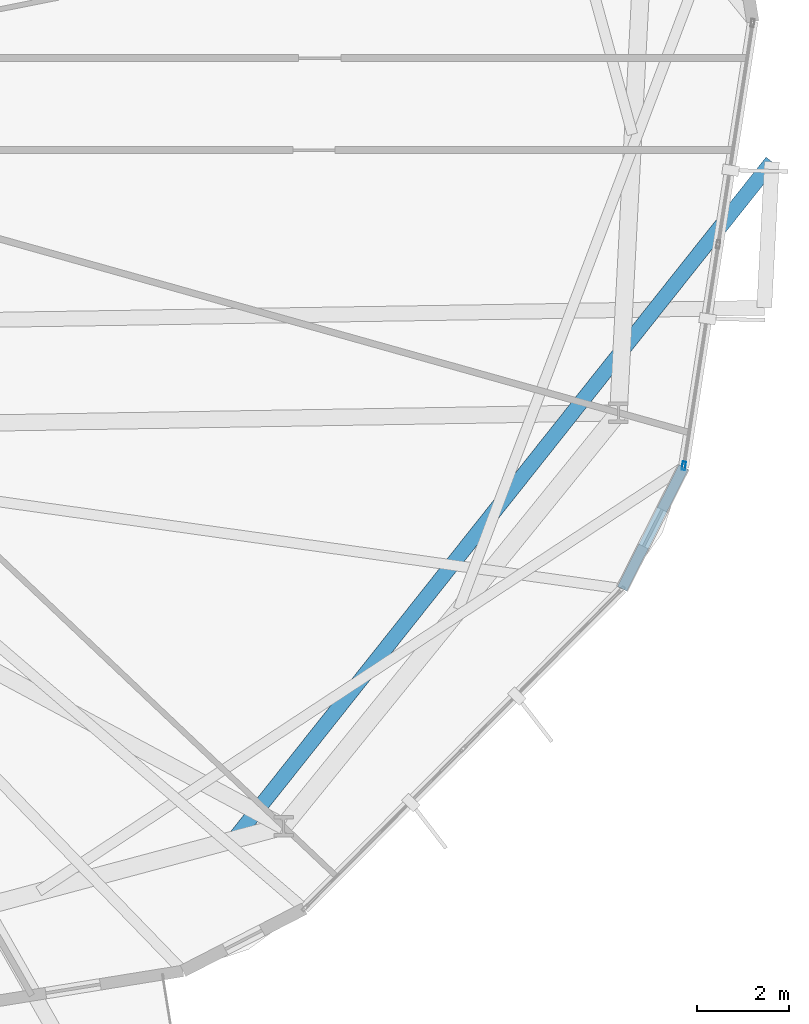
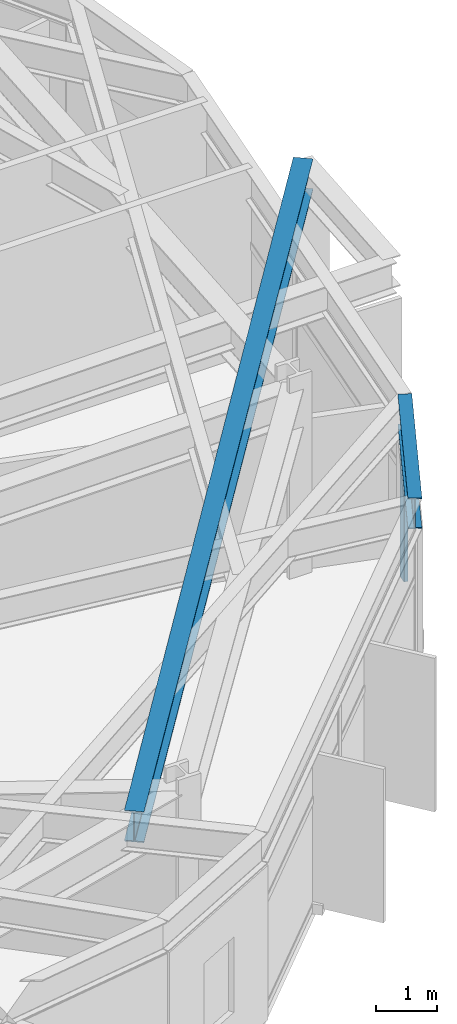
# One storey, part 9 of 23: 2 beams, 1 member, 1 element without a shape of its own.
"""IFC4 building model written with IfcOpenShell, lengths in metres."""

from ifc_helpers import new_model, si_unit, direction, frame, origin, origin_2d, place, context, subcontext, project, spatial, hollow_rectangle, i_section, extrude, material, layer, layer_set, material_profile, profile_set, type_object, element, aggregate, save


model = new_model("IFC4")

# Units and contexts
model_context = context("Model", 3, precision=1e-05, world=origin(), true_north=direction((0.0, 1.0)))
body_context = subcontext(model_context, "Body", "Model", "MODEL_VIEW")
ifc_project = project(units=[si_unit("LENGTHUNIT", "METRE"), si_unit("AREAUNIT", "SQUARE_METRE"), si_unit("VOLUMEUNIT", "CUBIC_METRE"), si_unit("PLANEANGLEUNIT", "RADIAN"), si_unit("MASSUNIT", "GRAM", prefix="KILO")], contexts=[model_context])

# Site, building, storey
site_placement = place(None, origin())
site = spatial("IfcSite", under=ifc_project, at=site_placement, CompositionType="ELEMENT")
building_placement = place(site_placement, origin())
building = spatial("IfcBuilding", under=site, at=building_placement, Name="Soratama Intermodal Tower", CompositionType="ELEMENT")
storey_placement = place(building_placement, frame((0.0, 0.0, 62.60009765625)))
storey = spatial("IfcBuildingStorey", under=building, at=storey_placement, Name="L14", CompositionType="ELEMENT", Elevation=62.60009765625)

# Beams
ifc_material_1 = material(Name="Structural steel ASTM A992 Grade 50", Category="steel")
ifc_material_profile_1 = material_profile(ifc_material_1, i_section(OverallWidth=0.324951171875, OverallDepth=0.615966796875, WebThickness=0.013916015625, FlangeThickness=0.021484375, FilletRadius=0.013916015625, at=origin_2d()), Name="W24X117")
ifc_profile_set_1 = profile_set([ifc_material_profile_1], Name="Structural steel ASTM A992 Grade 50")
beam_type_1 = type_object("IfcBeamType", Name="BM-CANT-W24X117", PredefinedType="BEAM", material=ifc_profile_set_1)
beam_1_placement = place(storey_placement, frame((54.138916015625, 9.0419921875, 3.391845703125), z_axis=(0.621768151417, 0.783201357177, 0.0), x_axis=(-0.783201357177, 0.621768151417, 0.0)))
element("IfcBeam", 1, at=beam_1_placement, inside=storey, type_object=beam_type_1, Name="BM-L14-CANT-1-2", PredefinedType="BEAM", context=body_context, shape_type="SweptSolid", body=[
    extrude(i_section(OverallWidth=0.324951171875, OverallDepth=0.615966796875, WebThickness=0.013916015625, FlangeThickness=0.021484375, FilletRadius=0.013916015625, at=origin_2d()), origin(), (0.0, 0.0, 1.0), 18.775634765625),
])
ifc_material_2 = material(Name="Structural steel ASTM A992 Grade 50", Category="steel")
ifc_material_profile_2 = material_profile(ifc_material_2, i_section(OverallWidth=0.22900390625, OverallDepth=0.612060546875, WebThickness=0.011962890625, FlangeThickness=0.01953125, FilletRadius=0.012939453125, at=origin_2d()), Name="W24X84")
ifc_profile_set_2 = profile_set([ifc_material_profile_2], Name="Structural steel ASTM A992 Grade 50")
beam_type_2 = type_object("IfcBeamType", Name="BM-SPN-W24X84", PredefinedType="SPANDREL", material=ifc_profile_set_2)
beam_2_placement = place(storey_placement, frame((62.555908203125, 14.4619140625, 3.393798828125), z_axis=(0.450994621694, 0.892526666942, 0.0), x_axis=(-0.892526666942, 0.450994621694, 0.0)))
element("IfcBeam", 2, at=beam_2_placement, inside=storey, type_object=beam_type_2, Name="BS-L14-CRN09", PredefinedType="SPANDREL", context=body_context, shape_type="SweptSolid", body=[
    extrude(i_section(OverallWidth=0.22900390625, OverallDepth=0.612060546875, WebThickness=0.011962890625, FlangeThickness=0.01953125, FilletRadius=0.012939453125, at=origin_2d()), origin(), (0.0, 0.0, 1.0), 2.967041015625),
])

# Curtain wall, member
ifc_material_3 = material(Name="Double-glazed aluminium curtain wall", Category="aluminium")
ifc_layer = layer(ifc_material_3, 0.159912109375)
ifc_layer_set = layer_set([ifc_layer], Name="Double-glazed aluminium curtain wall")
curtain_wall_type = type_object("IfcCurtainWallType", Name="CW-SYS-2", PredefinedType="NOTDEFINED", material=ifc_layer_set)
curtain_wall_placement = place(storey_placement, origin())
curtain_wall = element("IfcCurtainWall", 3, at=curtain_wall_placement, inside=storey, type_object=curtain_wall_type, Name="L14 Faceted Curtain Wall F10", PredefinedType="NOTDEFINED")
ifc_material_4 = material(Name="Anodised aluminium AA 6063-T6", Category="aluminium")
ifc_material_profile_3 = material_profile(ifc_material_4, hollow_rectangle(XDim=0.074951171875, YDim=0.179931640625, WallThickness=0.006103515625, InnerFilletRadius=0.006103515625, OuterFilletRadius=0.011962890625, at=origin_2d()), Name="CWM180X75X6")
ifc_profile_set_3 = profile_set([ifc_material_profile_3], Name="Anodised aluminium AA 6063-T6")
member_type = type_object("IfcMemberType", Name="MT-CWM-2", PredefinedType="MULLION", material=ifc_profile_set_3)
member_placement = place(storey_placement, frame((63.898681640625, 17.139404296875, 0.0), z_axis=(0.0, 0.0, 1.0), x_axis=(-0.98817528955, 0.153328396334, 0.0)))
member = element("IfcMember", 4, at=member_placement, type_object=member_type, Name="CW-2 mullion 1", PredefinedType="MULLION", context=body_context, shape_type="SweptSolid", body=[
    extrude(hollow_rectangle(XDim=0.074951171875, YDim=0.179931640625, WallThickness=0.006103515625, InnerFilletRadius=0.006103515625, OuterFilletRadius=0.011962890625, at=origin_2d()), origin(), (0.0, 0.0, 1.0), 3.078857421875),
])
aggregate(curtain_wall, [member])

save(model, "model.ifc")
